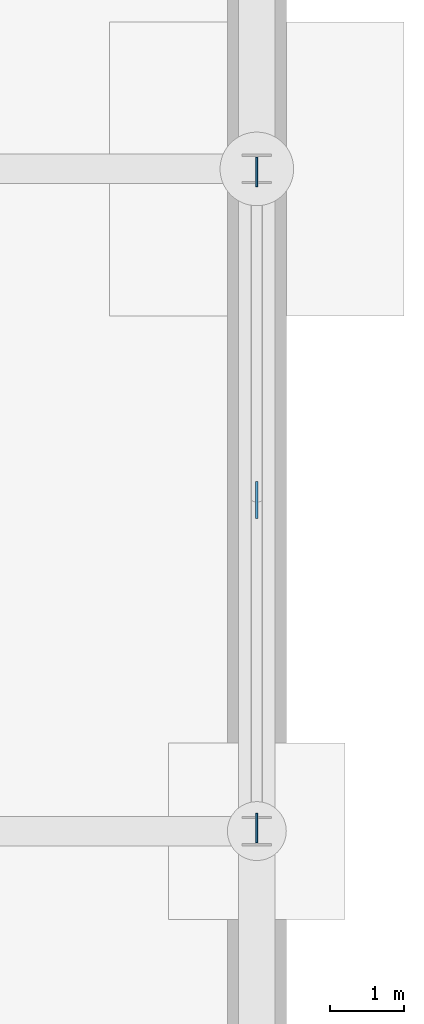
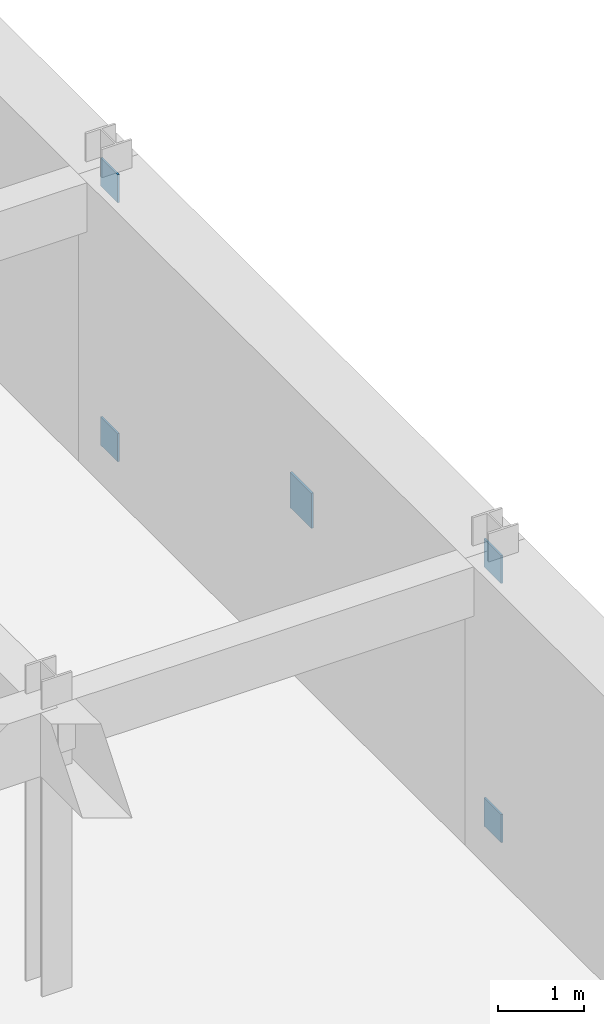
# One storey, part 37 of 41: 5 discrete accessories.
"""IFC4 building model written with IfcOpenShell, lengths in metres."""

from ifc_helpers import new_model, si_unit, direction, frame, origin, origin_2d, place, context, subcontext, project, spatial, rectangle, extrude, material, type_object, element, save


model = new_model("IFC4")

# Units and contexts
model_context = context("Model", 3, precision=1e-05, world=origin(), true_north=direction((0.0, 1.0)))
body_context = subcontext(model_context, "Body", "Model", "MODEL_VIEW")
ifc_project = project(units=[si_unit("LENGTHUNIT", "METRE"), si_unit("AREAUNIT", "SQUARE_METRE"), si_unit("VOLUMEUNIT", "CUBIC_METRE"), si_unit("PLANEANGLEUNIT", "RADIAN"), si_unit("MASSUNIT", "GRAM", prefix="KILO")], contexts=[model_context])

# Site, building, storey
site_placement = place(None, origin())
site = spatial("IfcSite", under=ifc_project, at=site_placement, CompositionType="ELEMENT")
building_placement = place(site_placement, origin())
building = spatial("IfcBuilding", under=site, at=building_placement, Name="Palais des Congres Ocreval", CompositionType="ELEMENT")
storey_placement = place(building_placement, frame((0.0, 0.0, -8.9599609375)))
storey = spatial("IfcBuildingStorey", under=building, at=storey_placement, Name="B2", CompositionType="ELEMENT", Elevation=-8.9599609375)

# Discrete accessories
ifc_material = material(Name="Steel S355", Category="steel")
discrete_accessory_type_1 = type_object("IfcDiscreteAccessoryType", Name="Cast-In Embed Plate PL25 Steel S355", PredefinedType="USERDEFINED", material=ifc_material)
for number, where, z_axis, x_axis, name in (
    (1, (168.0, 27.0400390625, 0.0), (0.0, 0.0, 1.0), (0.0, -1.0, 0.0), "Cast-In Embed Plate EP01"),
    (2, (168.0, 35.9599609375, 3.679931640625), (0.0, 0.0, 1.0), (0.0, -1.0, 0.0), "Cast-In Embed Plate EP01"),
    (3, (168.0, 27.0400390625, 3.679931640625), (0.0, 0.0, 1.0), (0.0, -1.0, 0.0), "Cast-In Embed Plate EP01"),
    (4, (168.0, 35.9599609375, 0.0), (0.0, 0.0, 1.0), (0.0, -1.0, 0.0), "Cast-In Embed Plate EP01"),
):
    element("IfcDiscreteAccessory", number, at=place(storey_placement, frame(where, z_axis=z_axis, x_axis=x_axis)), inside=storey, type_object=discrete_accessory_type_1, Name=name, ObjectType="EMBED PLATE", PredefinedType="USERDEFINED", context=body_context, shape_type="SweptSolid", body=[
        extrude(rectangle(XDim=0.39990234375, YDim=0.02490234375, at=origin_2d()), origin(), (0.0, 0.0, 1.0), 0.39990234375),
    ])
discrete_accessory_type_2 = type_object("IfcDiscreteAccessoryType", Name="X-Brace Node Gusset Plate PL30 Steel S355", PredefinedType="USERDEFINED", material=ifc_material)
discrete_accessory_placement = place(storey_placement, frame((168.0, 31.5, 1.7900390625), z_axis=(0.0, 0.0, 1.0), x_axis=(0.0, 1.0, 0.0)))
element("IfcDiscreteAccessory", 5, at=discrete_accessory_placement, inside=storey, type_object=discrete_accessory_type_2, Name="X-Brace Node Gusset Plate GP01", ObjectType="GUSSET PLATE", PredefinedType="USERDEFINED", context=body_context, shape_type="SweptSolid", body=[
    extrude(rectangle(XDim=0.5, YDim=0.030029296875, at=origin_2d()), origin(), (0.0, 0.0, 1.0), 0.5),
])

save(model, "model.ifc")
